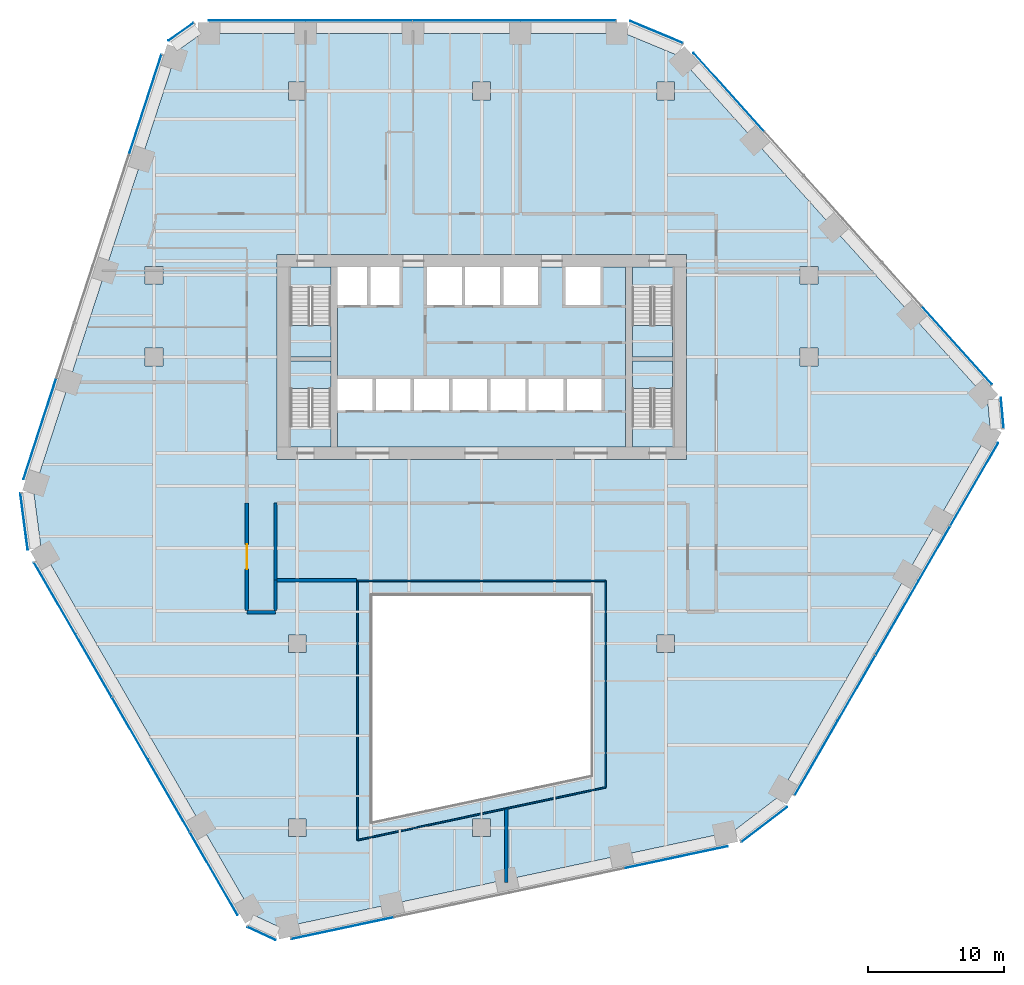
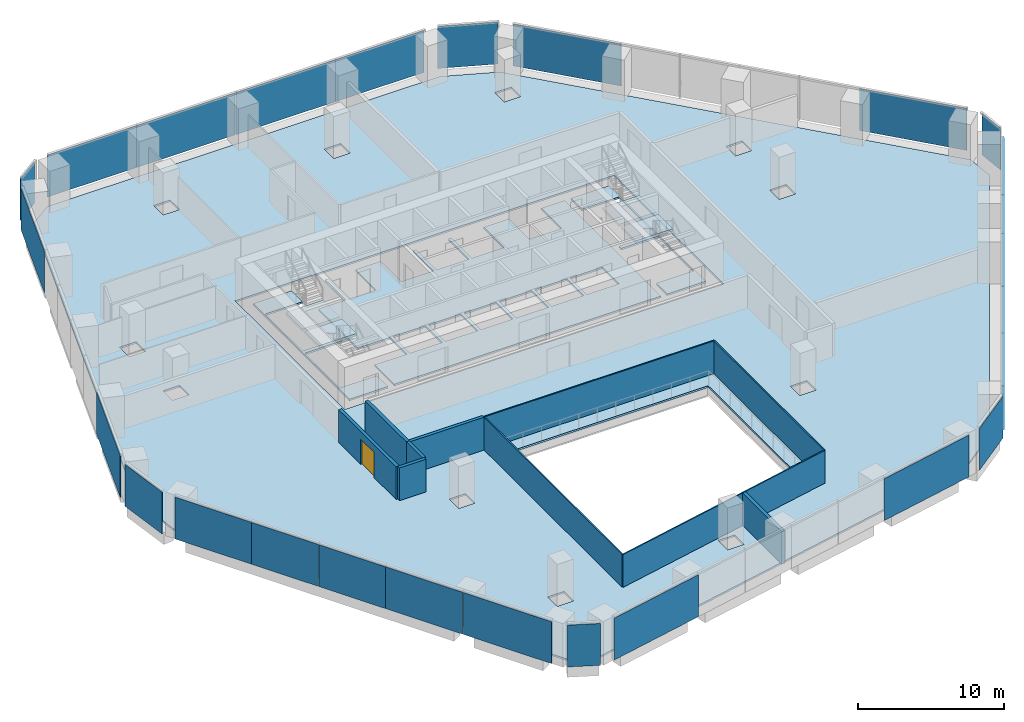
# One storey, part 13 of 19: 26 plates, 10 walls, 8 slabs, 1 door, 1 opening, 16 elements without a shape of their own.
"""IFC4 building model written with IfcOpenShell, lengths in metres."""

from ifc_helpers import new_model, si_unit, direction, frame, frame_2d, origin, origin_2d, place, context, subcontext, project, spatial, polyline, rectangle, outline, extrude, material, layer, layer_set, type_object, element, fill, aggregate, save


model = new_model("IFC4")

# Units and contexts
model_context = context("Model", 3, precision=1e-05, world=origin(), true_north=direction((0.0, 1.0)))
body_context = subcontext(model_context, "Body", "Model", "MODEL_VIEW")
ifc_project = project(units=[si_unit("LENGTHUNIT", "METRE"), si_unit("AREAUNIT", "SQUARE_METRE"), si_unit("VOLUMEUNIT", "CUBIC_METRE"), si_unit("PLANEANGLEUNIT", "RADIAN"), si_unit("MASSUNIT", "GRAM", prefix="KILO")], contexts=[model_context])

# Site, building, storey
site_placement = place(None, origin())
site = spatial("IfcSite", under=ifc_project, at=site_placement, CompositionType="ELEMENT")
building_placement = place(site_placement, origin())
building = spatial("IfcBuilding", under=site, at=building_placement, Name="Isthmus Gate Tower", CompositionType="ELEMENT")
storey_placement = place(building_placement, frame((0.0, 0.0, 91.60009765625)))
storey = spatial("IfcBuildingStorey", under=building, at=storey_placement, Name="L21", CompositionType="ELEMENT", Elevation=91.60009765625)

# Slabs
ifc_material_1 = material(Name="Concrete f'c 40 MPa", Category="concrete")
ifc_layer_1 = layer(ifc_material_1, 0.14990234375)
ifc_layer_set_1 = layer_set([ifc_layer_1], Name="COMPOSITE FLOOR SLAB 150")
slab_type_1 = type_object("IfcSlabType", Name="COMPOSITE FLOOR SLAB 150", PredefinedType="FLOOR", material=ifc_layer_set_1)
slab_1_placement = place(storey_placement, frame((0.0, 0.0, -0.150146484375)))
element("IfcSlab", 1, at=slab_1_placement, inside=storey, type_object=slab_type_1, Name="str-slab-L21-1", PredefinedType="FLOOR", context=body_context, shape_type="SweptSolid", body=[
    extrude(outline(polyline([(14.391357421875, 29.599365234375), (37.081787109375, 4.399169921875), (37.281494140625, 2.17333984375), (21.748779296875, -24.729736328125), (18.438232421875, -27.262939453125), (-14.73095703125, -34.313232421875), (-16.758544921875, -33.373291015625), (-32.291015625, -6.47021484375), (-32.82958984375, -2.33642578125), (-22.3505859375, 29.9140625), (-20.52294921875, 31.199951171875), (10.542236328125, 31.199951171875), (14.391357421875, 29.599365234375)]), holes=[polyline([(-14.14990234375, -27.64990234375), (-12.85009765625, -27.64990234375), (-12.85009765625, -26.35009765625), (-14.14990234375, -26.35009765625), (-14.14990234375, -27.64990234375)]), polyline([(-0.64990234375, -26.35009765625), (-0.64990234375, -27.64990234375), (0.64990234375, -27.64990234375), (0.64990234375, -26.35009765625), (-0.64990234375, -26.35009765625)]), polyline([(-14.14990234375, -12.85009765625), (-14.14990234375, -14.14990234375), (-12.85009765625, -14.14990234375), (-12.85009765625, -12.85009765625), (-14.14990234375, -12.85009765625)]), polyline([(-24.64990234375, 8.14990234375), (-24.64990234375, 6.85009765625), (-23.35009765625, 6.85009765625), (-23.35009765625, 8.14990234375), (-24.64990234375, 8.14990234375)]), polyline([(-23.35009765625, 14.14990234375), (-24.64990234375, 14.14990234375), (-24.64990234375, 12.85009765625), (-23.35009765625, 12.85009765625), (-23.35009765625, 14.14990234375)]), polyline([(-14.14990234375, 27.64990234375), (-14.14990234375, 26.35009765625), (-12.85009765625, 26.35009765625), (-12.85009765625, 27.64990234375), (-14.14990234375, 27.64990234375)]), polyline([(-0.64990234375, 27.64990234375), (-0.64990234375, 26.35009765625), (0.64990234375, 26.35009765625), (0.64990234375, 27.64990234375), (-0.64990234375, 27.64990234375)]), polyline([(8.0, -23.143310546875), (8.0, -10.0), (-8.0, -10.0), (-8.0, -26.544189453125), (8.0, -23.143310546875)]), polyline([(14.14990234375, -12.85009765625), (12.85009765625, -12.85009765625), (12.85009765625, -14.14990234375), (14.14990234375, -14.14990234375), (14.14990234375, -12.85009765625)]), polyline([(15.0, 15.0), (-15.0, 15.0), (-15.0, 0.0), (15.0, 0.0), (15.0, 15.0)]), polyline([(24.64990234375, 8.14990234375), (23.35009765625, 8.14990234375), (23.35009765625, 6.85009765625), (24.64990234375, 6.85009765625), (24.64990234375, 8.14990234375)]), polyline([(23.35009765625, 14.14990234375), (23.35009765625, 12.85009765625), (24.64990234375, 12.85009765625), (24.64990234375, 14.14990234375), (23.35009765625, 14.14990234375)]), polyline([(14.14990234375, 27.64990234375), (12.85009765625, 27.64990234375), (12.85009765625, 26.35009765625), (14.14990234375, 26.35009765625), (14.14990234375, 27.64990234375)])]), origin(), (0.0, 0.0, 1.0), 0.150146484375),
])
ifc_material_2 = material(Name="Concrete f'c 40 MPa", Category="concrete")
ifc_layer_2 = layer(ifc_material_2, 0.14990234375)
ifc_layer_set_2 = layer_set([ifc_layer_2], Name="CORE FLOOR SLAB 150")
slab_type_2 = type_object("IfcSlabType", Name="CORE FLOOR SLAB 150", PredefinedType="FLOOR", material=ifc_layer_set_2)
slab_2_placement = place(storey_placement, frame((0.0, 0.0, -0.150146484375)))
element("IfcSlab", 2, at=slab_2_placement, inside=storey, type_object=slab_type_2, Name="L21 core floor", PredefinedType="FLOOR", context=body_context, shape_type="SweptSolid", body=[
    extrude(outline(polyline([(-11.050048828125, 0.89990234375), (-11.050048828125, 2.402099609375), (-14.0, 2.402099609375), (-14.0, 7.199951171875), (-11.050048828125, 7.199951171875), (-11.050048828125, 7.5), (-14.0, 7.5), (-14.0, 12.597900390625), (-11.050048828125, 12.597900390625), (-11.050048828125, 14.10009765625), (-14.10009765625, 14.10009765625), (-14.10009765625, 0.89990234375), (-11.050048828125, 0.89990234375)])), origin(), (0.0, 0.0, 1.0), 0.150146484375),
])
slab_3_placement = place(storey_placement, frame((0.0, 0.0, -0.150146484375)))
element("IfcSlab", 3, at=slab_3_placement, inside=storey, type_object=slab_type_2, Name="L21 core floor", PredefinedType="FLOOR", context=body_context, shape_type="SweptSolid", body=[
    extrude(outline(polyline([(10.550048828125, 14.10009765625), (8.699951171875, 14.10009765625), (8.699951171875, 11.300048828125), (6.14990234375, 11.300048828125), (6.14990234375, 14.10009765625), (4.14990234375, 14.10009765625), (4.14990234375, 11.300048828125), (1.60009765625, 11.300048828125), (1.60009765625, 14.10009765625), (1.35009765625, 14.10009765625), (1.35009765625, 11.300048828125), (-1.199951171875, 11.300048828125), (-1.199951171875, 14.10009765625), (-1.449951171875, 14.10009765625), (-1.449951171875, 11.300048828125), (-4.0, 11.300048828125), (-4.0, 14.10009765625), (-6.0, 14.10009765625), (-6.0, 11.300048828125), (-8.14990234375, 11.300048828125), (-8.14990234375, 14.10009765625), (-8.39990234375, 14.10009765625), (-8.39990234375, 11.300048828125), (-10.550048828125, 11.300048828125), (-10.550048828125, 5.89990234375), (-8.0, 5.89990234375), (-8.0, 3.60009765625), (-10.550048828125, 3.60009765625), (-10.550048828125, 0.89990234375), (10.550048828125, 0.89990234375), (10.550048828125, 14.10009765625)]), holes=[polyline([(-5.199951171875, 5.89990234375), (-5.199951171875, 3.60009765625), (-7.75, 3.60009765625), (-7.75, 5.89990234375), (-5.199951171875, 5.89990234375)]), polyline([(-2.39990234375, 5.89990234375), (-2.39990234375, 3.60009765625), (-4.949951171875, 3.60009765625), (-4.949951171875, 5.89990234375), (-2.39990234375, 5.89990234375)]), polyline([(0.39990234375, 5.89990234375), (0.39990234375, 3.60009765625), (-2.14990234375, 3.60009765625), (-2.14990234375, 5.89990234375), (0.39990234375, 5.89990234375)]), polyline([(3.199951171875, 5.89990234375), (3.199951171875, 3.60009765625), (0.64990234375, 3.60009765625), (0.64990234375, 5.89990234375), (3.199951171875, 5.89990234375)]), polyline([(6.0, 5.89990234375), (6.0, 3.60009765625), (3.449951171875, 3.60009765625), (3.449951171875, 5.89990234375), (6.0, 5.89990234375)]), polyline([(8.800048828125, 5.89990234375), (8.800048828125, 3.60009765625), (6.25, 3.60009765625), (6.25, 5.89990234375), (8.800048828125, 5.89990234375)])]), origin(), (0.0, 0.0, 1.0), 0.150146484375),
])
slab_4_placement = place(storey_placement, frame((0.0, 0.0, -0.150146484375)))
element("IfcSlab", 4, at=slab_4_placement, inside=storey, type_object=slab_type_2, Name="L21 core floor", PredefinedType="FLOOR", context=body_context, shape_type="SweptSolid", body=[
    extrude(outline(polyline([(11.050048828125, 14.10009765625), (11.050048828125, 12.597900390625), (14.0, 12.597900390625), (14.0, 7.5), (11.050048828125, 7.5), (11.050048828125, 7.199951171875), (14.0, 7.199951171875), (14.0, 2.402099609375), (11.050048828125, 2.402099609375), (11.050048828125, 0.89990234375), (14.10009765625, 0.89990234375), (14.10009765625, 14.10009765625), (11.050048828125, 14.10009765625)])), origin(), (0.0, 0.0, 1.0), 0.150146484375),
])

# Curtain wall, plates
ifc_material_3 = material(Name="Aluminium, pale champagne anodised", Category="aluminium")
ifc_layer_3 = layer(ifc_material_3, 0.199951171875)
ifc_layer_set_3 = layer_set([ifc_layer_3], Name="CW-1 UNITISED CURTAIN WALL 200 DEEP")
curtain_wall_type = type_object("IfcCurtainWallType", Name="CW-1 UNITISED CURTAIN WALL 200 DEEP", PredefinedType="NOTDEFINED", material=ifc_layer_set_3)
curtain_wall_1_placement = place(storey_placement, origin())
curtain_wall_1 = element("IfcCurtainWall", 5, at=curtain_wall_1_placement, inside=storey, type_object=curtain_wall_type, Name="CW-1 N L21", PredefinedType="NOTDEFINED")
ifc_material_4 = material(Name="Laminated low-iron glass, pale blue tint", Category="glass")
ifc_layer_4 = layer(ifc_material_4, 0.0400390625)
ifc_layer_set_4 = layer_set([ifc_layer_4], Name="CW-1 CLEAR GLASS LITE 40")
plate_type = type_object("IfcPlateType", Name="CW-1 CLEAR GLASS LITE 40", PredefinedType="CURTAIN_PANEL", material=ifc_layer_set_4)
plate_1_placement = place(storey_placement, frame((6.337158203125, 32.179931640625, 0.0), z_axis=(0.0, 0.0, 1.0), x_axis=(-1.0, 0.0, 0.0)))
plate_1 = element("IfcPlate", 6, at=plate_1_placement, type_object=plate_type, Name="CW-1 glass lite", PredefinedType="CURTAIN_PANEL", context=body_context, shape_type="SweptSolid", body=[
    extrude(rectangle(XDim=7.009521484375, YDim=0.0400390625, at=origin_2d()), origin(), (0.0, 0.0, 1.0), 3.5),
])
plate_2_placement = place(storey_placement, frame((-1.1025390625, 32.179931640625, 0.0), z_axis=(0.0, 0.0, 1.0), x_axis=(-1.0, 0.0, 0.0)))
plate_2 = element("IfcPlate", 7, at=plate_2_placement, type_object=plate_type, Name="CW-1 glass lite", PredefinedType="CURTAIN_PANEL", context=body_context, shape_type="SweptSolid", body=[
    extrude(rectangle(XDim=7.86962890625, YDim=0.0400390625, at=origin_2d()), origin(), (0.0, 0.0, 1.0), 3.5),
])
plate_3_placement = place(storey_placement, frame((-9.001953125, 32.179931640625, 0.0), z_axis=(0.0, 0.0, 1.0), x_axis=(-1.0, 0.0, 0.0)))
plate_3 = element("IfcPlate", 8, at=plate_3_placement, type_object=plate_type, Name="CW-1 glass lite", PredefinedType="CURTAIN_PANEL", context=body_context, shape_type="SweptSolid", body=[
    extrude(rectangle(XDim=7.8095703125, YDim=0.0400390625, at=origin_2d()), origin(), (0.0, 0.0, 1.0), 3.5),
])
plate_4_placement = place(storey_placement, frame((-16.44140625, 32.179931640625, 0.0), z_axis=(0.0, 0.0, 1.0), x_axis=(-1.0, 0.0, 0.0)))
plate_4 = element("IfcPlate", 9, at=plate_4_placement, type_object=plate_type, Name="CW-1 glass lite", PredefinedType="CURTAIN_PANEL", context=body_context, shape_type="SweptSolid", body=[
    extrude(rectangle(XDim=7.069580078125, YDim=0.0400390625, at=origin_2d()), origin(), (0.0, 0.0, 1.0), 3.5),
])
aggregate(curtain_wall_1, [plate_1, plate_2, plate_3, plate_4])

# Curtain wall, plate
curtain_wall_2_placement = place(storey_placement, origin())
curtain_wall_2 = element("IfcCurtainWall", 10, at=curtain_wall_2_placement, inside=storey, type_object=curtain_wall_type, Name="CW-1 N-NW L21", PredefinedType="NOTDEFINED")
plate_5_placement = place(storey_placement, frame((-22.025146484375, 31.341552734375, 0.0), z_axis=(0.0, 0.0, 1.0), x_axis=(-0.81785959165, -0.57541783805, 0.0)))
plate_5 = element("IfcPlate", 11, at=plate_5_placement, type_object=plate_type, Name="CW-1 glass lite", PredefinedType="CURTAIN_PANEL", context=body_context, shape_type="SweptSolid", body=[
    extrude(rectangle(XDim=2.258544921875, YDim=0.0400390625, at=origin_2d()), origin(), (0.0, 0.0, 1.0), 3.5),
])
aggregate(curtain_wall_2, [plate_5])

# Curtain wall, plates
curtain_wall_3_placement = place(storey_placement, origin())
curtain_wall_3 = element("IfcCurtainWall", 12, at=curtain_wall_3_placement, inside=storey, type_object=curtain_wall_type, Name="CW-1 NW L21", PredefinedType="NOTDEFINED")
plate_6_placement = place(storey_placement, frame((-24.660400390625, 25.97705078125, 0.0), z_axis=(0.0, 0.0, 1.0), x_axis=(-0.309016994375, -0.951056516295, 0.0)))
plate_6 = element("IfcPlate", 13, at=plate_6_placement, type_object=plate_type, Name="CW-1 glass lite", PredefinedType="CURTAIN_PANEL", context=body_context, shape_type="SweptSolid", body=[
    extrude(rectangle(XDim=7.729248046875, YDim=0.0400390625, at=origin_2d()), origin(), (0.0, 0.0, 1.0), 3.5),
])
plate_7_placement = place(storey_placement, frame((-32.36669921875, 2.259765625, 0.0), z_axis=(0.0, 0.0, 1.0), x_axis=(-0.309016994375, -0.951056516295, 0.0)))
plate_7 = element("IfcPlate", 14, at=plate_7_placement, type_object=plate_type, Name="CW-1 glass lite", PredefinedType="CURTAIN_PANEL", context=body_context, shape_type="SweptSolid", body=[
    extrude(rectangle(XDim=7.789306640625, YDim=0.0400390625, at=origin_2d()), origin(), (0.0, 0.0, 1.0), 3.5),
])
aggregate(curtain_wall_3, [plate_6, plate_7])

# Curtain wall, plate
curtain_wall_4_placement = place(storey_placement, origin())
curtain_wall_4 = element("IfcCurtainWall", 15, at=curtain_wall_4_placement, inside=storey, type_object=curtain_wall_type, Name="CW-1 NW-SW L21", PredefinedType="NOTDEFINED")
plate_8_placement = place(storey_placement, frame((-33.5283203125, -4.558349609375, 0.0), z_axis=(0.0, 0.0, 1.0), x_axis=(0.129164534, -0.991623175988, 0.0)))
plate_8 = element("IfcPlate", 16, at=plate_8_placement, type_object=plate_type, Name="CW-1 glass lite", PredefinedType="CURTAIN_PANEL", context=body_context, shape_type="SweptSolid", body=[
    extrude(rectangle(XDim=4.181396484375, YDim=0.0400390625, at=origin_2d()), origin(), (0.0, 0.0, 1.0), 3.5),
])
aggregate(curtain_wall_4, [plate_8])

# Curtain wall, plates
curtain_wall_5_placement = place(storey_placement, origin())
curtain_wall_5 = element("IfcCurtainWall", 17, at=curtain_wall_5_placement, inside=storey, type_object=curtain_wall_type, Name="CW-1 SW L21", PredefinedType="NOTDEFINED")
plate_9_placement = place(storey_placement, frame((-31.277587890625, -10.185791015625, 0.0), z_axis=(0.0, 0.0, 1.0), x_axis=(0.5, -0.866025403784, 0.0)))
plate_9 = element("IfcPlate", 18, at=plate_9_placement, type_object=plate_type, Name="CW-1 glass lite", PredefinedType="CURTAIN_PANEL", context=body_context, shape_type="SweptSolid", body=[
    extrude(rectangle(XDim=6.048583984375, YDim=0.0400390625, at=origin_2d()), origin(), (0.0, 0.0, 1.0), 3.5),
])
plate_10_placement = place(storey_placement, frame((-28.438232421875, -15.103759765625, 0.0), z_axis=(0.0, 0.0, 1.0), x_axis=(0.5, -0.866025403784, 0.0)))
plate_10 = element("IfcPlate", 19, at=plate_10_placement, type_object=plate_type, Name="CW-1 glass lite", PredefinedType="CURTAIN_PANEL", context=body_context, shape_type="SweptSolid", body=[
    extrude(rectangle(XDim=5.30859375, YDim=0.0400390625, at=origin_2d()), origin(), (0.0, 0.0, 1.0), 3.5),
])
plate_11_placement = place(storey_placement, frame((-25.768798828125, -19.72705078125, 0.0), z_axis=(0.0, 0.0, 1.0), x_axis=(0.5, -0.866025403784, 0.0)))
plate_11 = element("IfcPlate", 20, at=plate_11_placement, type_object=plate_type, Name="CW-1 glass lite", PredefinedType="CURTAIN_PANEL", context=body_context, shape_type="SweptSolid", body=[
    extrude(rectangle(XDim=5.24853515625, YDim=0.0400390625, at=origin_2d()), origin(), (0.0, 0.0, 1.0), 3.5),
])
plate_12_placement = place(storey_placement, frame((-22.929443359375, -24.644775390625, 0.0), z_axis=(0.0, 0.0, 1.0), x_axis=(0.5, -0.866025403784, 0.0)))
plate_12 = element("IfcPlate", 21, at=plate_12_placement, type_object=plate_type, Name="CW-1 glass lite", PredefinedType="CURTAIN_PANEL", context=body_context, shape_type="SweptSolid", body=[
    extrude(rectangle(XDim=6.108642578125, YDim=0.0400390625, at=origin_2d()), origin(), (0.0, 0.0, 1.0), 3.5),
])
plate_13_placement = place(storey_placement, frame((-19.62646484375, -30.365966796875, 0.0), z_axis=(0.0, 0.0, 1.0), x_axis=(0.5, -0.866025403784, 0.0)))
plate_13 = element("IfcPlate", 22, at=plate_13_placement, type_object=plate_type, Name="CW-1 glass lite", PredefinedType="CURTAIN_PANEL", context=body_context, shape_type="SweptSolid", body=[
    extrude(rectangle(XDim=6.983642578125, YDim=0.0400390625, at=origin_2d()), origin(), (0.0, 0.0, 1.0), 3.5),
])
aggregate(curtain_wall_5, [plate_9, plate_10, plate_11, plate_12, plate_13])

# Curtain wall, plate
curtain_wall_6_placement = place(storey_placement, origin())
curtain_wall_6 = element("IfcCurtainWall", 23, at=curtain_wall_6_placement, inside=storey, type_object=curtain_wall_type, Name="CW-1 SW-S L21", PredefinedType="NOTDEFINED")
plate_14_placement = place(storey_placement, frame((-16.1298828125, -34.7451171875, 0.0), z_axis=(0.0, 0.0, 1.0), x_axis=(0.907256261367, -0.420578264073, 0.0)))
plate_14 = element("IfcPlate", 24, at=plate_14_placement, type_object=plate_type, Name="CW-1 glass lite", PredefinedType="CURTAIN_PANEL", context=body_context, shape_type="SweptSolid", body=[
    extrude(rectangle(XDim=2.258544921875, YDim=0.0400390625, at=origin_2d()), origin(), (0.0, 0.0, 1.0), 3.5),
])
aggregate(curtain_wall_6, [plate_14])

# Curtain wall, plates
curtain_wall_7_placement = place(storey_placement, origin())
curtain_wall_7 = element("IfcCurtainWall", 25, at=curtain_wall_7_placement, inside=storey, type_object=curtain_wall_type, Name="CW-1 S L21", PredefinedType="NOTDEFINED")
plate_15_placement = place(storey_placement, frame((-10.166748046875, -34.344970703125, 0.0), z_axis=(0.0, 0.0, 1.0), x_axis=(0.978147600734, 0.207911690818, 0.0)))
plate_15 = element("IfcPlate", 26, at=plate_15_placement, type_object=plate_type, Name="CW-1 glass lite", PredefinedType="CURTAIN_PANEL", context=body_context, shape_type="SweptSolid", body=[
    extrude(rectangle(XDim=7.729248046875, YDim=0.0400390625, at=origin_2d()), origin(), (0.0, 0.0, 1.0), 3.5),
])
plate_16_placement = place(storey_placement, frame((14.226318359375, -29.16015625, 0.0), z_axis=(0.0, 0.0, 1.0), x_axis=(0.978147600734, 0.207911690818, 0.0)))
plate_16 = element("IfcPlate", 27, at=plate_16_placement, type_object=plate_type, Name="CW-1 glass lite", PredefinedType="CURTAIN_PANEL", context=body_context, shape_type="SweptSolid", body=[
    extrude(rectangle(XDim=7.789306640625, YDim=0.0400390625, at=origin_2d()), origin(), (0.0, 0.0, 1.0), 3.5),
])
aggregate(curtain_wall_7, [plate_15, plate_16])

# Curtain wall, plate
curtain_wall_8_placement = place(storey_placement, origin())
curtain_wall_8 = element("IfcCurtainWall", 28, at=curtain_wall_8_placement, inside=storey, type_object=curtain_wall_type, Name="CW-1 S-SE L21", PredefinedType="NOTDEFINED")
plate_17_placement = place(storey_placement, frame((20.711669921875, -26.75732421875, 0.0), z_axis=(0.0, 0.0, 1.0), x_axis=(0.794188594387, 0.607671355706, 0.0)))
plate_17 = element("IfcPlate", 29, at=plate_17_placement, type_object=plate_type, Name="CW-1 glass lite", PredefinedType="CURTAIN_PANEL", context=body_context, shape_type="SweptSolid", body=[
    extrude(rectangle(XDim=4.181396484375, YDim=0.0400390625, at=origin_2d()), origin(), (0.0, 0.0, 1.0), 3.5),
])
aggregate(curtain_wall_8, [plate_17])

# Curtain wall, plates
curtain_wall_9_placement = place(storey_placement, origin())
curtain_wall_9 = element("IfcCurtainWall", 30, at=curtain_wall_9_placement, inside=storey, type_object=curtain_wall_type, Name="CW-1 SE L21", PredefinedType="NOTDEFINED")
plate_18_placement = place(storey_placement, frame((24.517333984375, -21.89453125, 0.0), z_axis=(0.0, 0.0, 1.0), x_axis=(0.5, 0.866025403784, 0.0)))
plate_18 = element("IfcPlate", 31, at=plate_18_placement, type_object=plate_type, Name="CW-1 glass lite", PredefinedType="CURTAIN_PANEL", context=body_context, shape_type="SweptSolid", body=[
    extrude(rectangle(XDim=6.278564453125, YDim=0.0400390625, at=origin_2d()), origin(), (0.0, 0.0, 1.0), 3.5),
])
plate_19_placement = place(storey_placement, frame((27.4716796875, -16.777587890625, 0.0), z_axis=(0.0, 0.0, 1.0), x_axis=(0.5, 0.866025403784, 0.0)))
plate_19 = element("IfcPlate", 32, at=plate_19_placement, type_object=plate_type, Name="CW-1 glass lite", PredefinedType="CURTAIN_PANEL", context=body_context, shape_type="SweptSolid", body=[
    extrude(rectangle(XDim=5.53857421875, YDim=0.0400390625, at=origin_2d()), origin(), (0.0, 0.0, 1.0), 3.5),
])
plate_20_placement = place(storey_placement, frame((30.4560546875, -11.608642578125, 0.0), z_axis=(0.0, 0.0, 1.0), x_axis=(0.5, 0.866025403784, 0.0)))
plate_20 = element("IfcPlate", 33, at=plate_20_placement, type_object=plate_type, Name="CW-1 glass lite", PredefinedType="CURTAIN_PANEL", context=body_context, shape_type="SweptSolid", body=[
    extrude(rectangle(XDim=6.278564453125, YDim=0.0400390625, at=origin_2d()), origin(), (0.0, 0.0, 1.0), 3.5),
])
plate_21_placement = place(storey_placement, frame((33.173828125, -6.901123046875, 0.0), z_axis=(0.0, 0.0, 1.0), x_axis=(0.5, 0.866025403784, 0.0)))
plate_21 = element("IfcPlate", 34, at=plate_21_placement, type_object=plate_type, Name="CW-1 glass lite", PredefinedType="CURTAIN_PANEL", context=body_context, shape_type="SweptSolid", body=[
    extrude(rectangle(XDim=4.5927734375, YDim=0.0400390625, at=origin_2d()), origin(), (0.0, 0.0, 1.0), 3.5),
])
plate_22_placement = place(storey_placement, frame((36.1044921875, -1.8251953125, 0.0), z_axis=(0.0, 0.0, 1.0), x_axis=(0.5, 0.866025403784, 0.0)))
plate_22 = element("IfcPlate", 35, at=plate_22_placement, type_object=plate_type, Name="CW-1 glass lite", PredefinedType="CURTAIN_PANEL", context=body_context, shape_type="SweptSolid", body=[
    extrude(rectangle(XDim=7.009521484375, YDim=0.0400390625, at=origin_2d()), origin(), (0.0, 0.0, 1.0), 3.5),
])
aggregate(curtain_wall_9, [plate_18, plate_19, plate_20, plate_21, plate_22])

# Curtain wall, plate
curtain_wall_10_placement = place(storey_placement, origin())
curtain_wall_10 = element("IfcCurtainWall", 36, at=curtain_wall_10_placement, inside=storey, type_object=curtain_wall_type, Name="CW-1 SE-NE L21", PredefinedType="NOTDEFINED")
plate_23_placement = place(storey_placement, frame((38.155029296875, 3.403564453125, 0.0), z_axis=(0.0, 0.0, 1.0), x_axis=(-0.089396669717, 0.995996102123, 0.0)))
plate_23 = element("IfcPlate", 37, at=plate_23_placement, type_object=plate_type, Name="CW-1 glass lite", PredefinedType="CURTAIN_PANEL", context=body_context, shape_type="SweptSolid", body=[
    extrude(rectangle(XDim=2.258544921875, YDim=0.0400390625, at=origin_2d()), origin(), (0.0, 0.0, 1.0), 3.5),
])
aggregate(curtain_wall_10, [plate_23])

# Curtain wall, plates
curtain_wall_11_placement = place(storey_placement, origin())
curtain_wall_11 = element("IfcCurtainWall", 38, at=curtain_wall_11_placement, inside=storey, type_object=curtain_wall_type, Name="CW-1 NE L21", PredefinedType="NOTDEFINED")
plate_24_placement = place(storey_placement, frame((34.826904296875, 8.367919921875, 0.0), z_axis=(0.0, 0.0, 1.0), x_axis=(-0.669130606359, 0.743144825477, 0.0)))
plate_24 = element("IfcPlate", 39, at=plate_24_placement, type_object=plate_type, Name="CW-1 glass lite", PredefinedType="CURTAIN_PANEL", context=body_context, shape_type="SweptSolid", body=[
    extrude(rectangle(XDim=7.729248046875, YDim=0.0400390625, at=origin_2d()), origin(), (0.0, 0.0, 1.0), 3.5),
])
plate_25_placement = place(storey_placement, frame((18.14013671875, 26.900390625, 0.0), z_axis=(0.0, 0.0, 1.0), x_axis=(-0.669130606359, 0.743144825477, 0.0)))
plate_25 = element("IfcPlate", 40, at=plate_25_placement, type_object=plate_type, Name="CW-1 glass lite", PredefinedType="CURTAIN_PANEL", context=body_context, shape_type="SweptSolid", body=[
    extrude(rectangle(XDim=7.789306640625, YDim=0.0400390625, at=origin_2d()), origin(), (0.0, 0.0, 1.0), 3.5),
])
aggregate(curtain_wall_11, [plate_24, plate_25])

# Curtain wall, plate
curtain_wall_12_placement = place(storey_placement, origin())
curtain_wall_12 = element("IfcCurtainWall", 41, at=curtain_wall_12_placement, inside=storey, type_object=curtain_wall_type, Name="CW-1 NE-N L21", PredefinedType="NOTDEFINED")
plate_26_placement = place(storey_placement, frame((12.816650390625, 31.315673828125, 0.0), z_axis=(0.0, 0.0, 1.0), x_axis=(-0.923353128387, 0.383951820282, 0.0)))
plate_26 = element("IfcPlate", 42, at=plate_26_placement, type_object=plate_type, Name="CW-1 glass lite", PredefinedType="CURTAIN_PANEL", context=body_context, shape_type="SweptSolid", body=[
    extrude(rectangle(XDim=4.181396484375, YDim=0.0400390625, at=origin_2d()), origin(), (0.0, 0.0, 1.0), 3.5),
])
aggregate(curtain_wall_12, [plate_26])

# Stair, slab
ifc_material_5 = material(Name="Concrete f'c 40 MPa", Category="concrete")
stair_type = type_object("IfcStairType", Name="CORE STAIR 22 RISERS", PredefinedType="HALF_TURN_STAIR", material=ifc_material_5)
stair_1_placement = place(storey_placement, origin())
stair_1 = element("IfcStair", 43, at=stair_1_placement, inside=storey, type_object=stair_type, Name="L21 Exit Stair 1", PredefinedType="HALF_TURN_STAIR")
ifc_material_6 = material(Name="Concrete f'c 40 MPa", Category="concrete")
ifc_layer_5 = layer(ifc_material_6, 0.199951171875)
ifc_layer_set_5 = layer_set([ifc_layer_5])
slab_type_3 = type_object("IfcSlabType", Name="STAIR LANDING RC 200", PredefinedType="LANDING", material=ifc_layer_set_5)
slab_5_placement = place(storey_placement, frame((0.0, 0.0, 1.625)))
slab_5 = element("IfcSlab", 44, at=slab_5_placement, type_object=slab_type_3, Name="ST1 landing 1", PredefinedType="LANDING", context=body_context, shape_type="SweptSolid", body=[
    extrude(outline(polyline([(-14.0, 9.800048828125), (-14.0, 7.5), (-11.050048828125, 7.5), (-11.050048828125, 9.800048828125), (-14.0, 9.800048828125)])), origin(), (0.0, 0.0, 1.0), 0.199951171875),
])
aggregate(stair_1, [slab_5])

stair_2_placement = place(storey_placement, origin())
stair_2 = element("IfcStair", 45, at=stair_2_placement, inside=storey, type_object=stair_type, Name="L21 Exit Stair 2", PredefinedType="HALF_TURN_STAIR")
slab_6_placement = place(storey_placement, frame((0.0, 0.0, 1.625)))
slab_6 = element("IfcSlab", 46, at=slab_6_placement, type_object=slab_type_3, Name="ST2 landing 1", PredefinedType="LANDING", context=body_context, shape_type="SweptSolid", body=[
    extrude(outline(polyline([(11.050048828125, 9.800048828125), (11.050048828125, 7.5), (14.0, 7.5), (14.0, 9.800048828125), (11.050048828125, 9.800048828125)])), origin(), (0.0, 0.0, 1.0), 0.199951171875),
])
aggregate(stair_2, [slab_6])

stair_3_placement = place(storey_placement, origin())
stair_3 = element("IfcStair", 47, at=stair_3_placement, inside=storey, type_object=stair_type, Name="L21 Exit Stair 7", PredefinedType="HALF_TURN_STAIR")
slab_7_placement = place(storey_placement, frame((0.0, 0.0, 1.625)))
slab_7 = element("IfcSlab", 48, at=slab_7_placement, type_object=slab_type_3, Name="ST7 landing 1", PredefinedType="LANDING", context=body_context, shape_type="SweptSolid", body=[
    extrude(outline(polyline([(-11.050048828125, 5.199951171875), (-11.050048828125, 7.199951171875), (-14.0, 7.199951171875), (-14.0, 5.199951171875), (-11.050048828125, 5.199951171875)])), origin(), (0.0, 0.0, 1.0), 0.199951171875),
])
aggregate(stair_3, [slab_7])

stair_4_placement = place(storey_placement, origin())
stair_4 = element("IfcStair", 49, at=stair_4_placement, inside=storey, type_object=stair_type, Name="L21 Exit Stair 8", PredefinedType="HALF_TURN_STAIR")
slab_8_placement = place(storey_placement, frame((0.0, 0.0, 1.625)))
slab_8 = element("IfcSlab", 50, at=slab_8_placement, type_object=slab_type_3, Name="ST8 landing 1", PredefinedType="LANDING", context=body_context, shape_type="SweptSolid", body=[
    extrude(outline(polyline([(14.0, 5.199951171875), (14.0, 7.199951171875), (11.050048828125, 7.199951171875), (11.050048828125, 5.199951171875), (14.0, 5.199951171875)])), origin(), (0.0, 0.0, 1.0), 0.199951171875),
])
aggregate(stair_4, [slab_8])

# Walls
ifc_material_7 = material(Name="Double-leaf acoustic stud wall, fire-rated", Category="gypsum")
ifc_layer_6 = layer(ifc_material_7, 0.25)
ifc_layer_set_6 = layer_set([ifc_layer_6], Name="ACOUSTIC WALL 250 60 MIN")
wall_type_1 = type_object("IfcWallType", Name="ACOUSTIC WALL 250 60 MIN", PredefinedType="PARTITIONING", material=ifc_layer_set_6)
wall_1_placement = place(storey_placement, frame((-15.10009765625, -11.199951171875, 0.0), z_axis=(0.0, 0.0, 1.0), x_axis=(-1.0, 0.0, 0.0)))
element("IfcWall", 51, at=wall_1_placement, inside=storey, type_object=wall_type_1, Name="L21 Acoustic Wall 250 60 Min", PredefinedType="PARTITIONING", context=body_context, shape_type="SweptSolid", body=[
    extrude(rectangle(XDim=2.097900390625, YDim=0.25, at=frame_2d((1.048828125, 0.0))), origin(), (0.0, 0.0, 1.0), 2.7412109375),
])
wall_2_placement = place(storey_placement, frame((-15.10009765625, -8.85009765625, 0.0), z_axis=(0.0, 0.0, 1.0), x_axis=(0.0, -1.0, 0.0)))
element("IfcWall", 52, at=wall_2_placement, inside=storey, type_object=wall_type_1, Name="L21 Acoustic Wall 250 60 Min", PredefinedType="PARTITIONING", context=body_context, shape_type="SweptSolid", body=[
    extrude(rectangle(XDim=2.224853515625, YDim=0.25, at=frame_2d((1.1123046875, 0.0))), origin(), (0.0, 0.0, 1.0), 2.7412109375),
])
wall_3_placement = place(storey_placement, frame((-15.10009765625, -3.199951171875, 0.0), z_axis=(0.0, 0.0, 1.0), x_axis=(0.0, -1.0, 0.0)))
element("IfcWall", 53, at=wall_3_placement, inside=storey, type_object=wall_type_1, Name="L21 Acoustic Wall 250 60 Min", PredefinedType="PARTITIONING", context=body_context, shape_type="SweptSolid", body=[
    extrude(rectangle(XDim=5.650146484375, YDim=0.25, at=frame_2d((2.8251953125, 0.0))), origin(), (0.0, 0.0, 1.0), 2.7412109375),
])

# Wall, opening, door
wall_4_placement = place(storey_placement, frame((-17.197998046875, -11.074951171875, 0.0), z_axis=(0.0, 0.0, 1.0), x_axis=(0.0, 1.0, 0.0)))
wall_4 = element("IfcWall", 54, at=wall_4_placement, inside=storey, type_object=wall_type_1, Name="L21 Acoustic Wall 250 60 Min", PredefinedType="PARTITIONING", context=body_context, shape_type="SweptSolid", body=[
    extrude(rectangle(XDim=7.886962890625, YDim=0.25, at=frame_2d((3.943359375, 0.0))), origin(), (0.0, 0.0, 1.0), 2.7412109375),
])
opening_placement = place(wall_4_placement, frame((3.04345703125, 0.0, 0.0)))
opening = element("IfcOpeningElement", 55, at=opening_placement, cuts=wall_4, Name="Opening DT-T2B-11", PredefinedType="OPENING", context=body_context, shape_type="SweptSolid", body=[
    extrude(rectangle(XDim=1.800048828125, YDim=2.10009765625, at=frame_2d((0.89990234375, 1.050048828125))), frame((0.0, 0.135009765625, 0.0), z_axis=(0.0, -1.0, 0.0), x_axis=(1.0, 0.0, 0.0)), (0.0, 0.0, 1.0), 0.27001953125),
])
ifc_material_8 = material(Name="Solid core timber door leaf, fire-rated", Category="wood")
door_type = type_object("IfcDoorType", Name="FIRE DOOR ACOUSTIC ROOM 1800 X 2100 60 MIN", OperationType="DOUBLE_DOOR_DOUBLE_SWING", PredefinedType="DOOR", material=ifc_material_8)
door_placement = place(opening_placement, origin())
door = element("IfcDoor", 56, at=door_placement, inside=storey, type_object=door_type, Name="L21 room door", OperationType="DOUBLE_DOOR_DOUBLE_SWING", OverallHeight=2.10009765625, OverallWidth=1.800048828125, PredefinedType="DOOR", context=body_context, shape_type="SweptSolid", body=[
    extrude(rectangle(XDim=1.800048828125, YDim=2.10009765625, at=frame_2d((0.89990234375, 1.050048828125))), frame((0.0, 0.02490234375, 0.0), z_axis=(0.0, -1.0, 0.0), x_axis=(1.0, 0.0, 0.0)), (0.0, 0.0, 1.0), 0.050048828125),
])
fill(opening, door)

# Walls
wall_5_placement = place(storey_placement, frame((1.81103515625, -31.001953125, 0.0), z_axis=(0.0, 0.0, 1.0), x_axis=(0.0, 1.0, 0.0)))
element("IfcWall", 57, at=wall_5_placement, inside=storey, type_object=wall_type_1, Name="L21 Acoustic Wall 250 60 Min", PredefinedType="PARTITIONING", context=body_context, shape_type="SweptSolid", body=[
    extrude(rectangle(XDim=5.367919921875, YDim=0.25, at=frame_2d((2.68408203125, 0.0))), origin(), (0.0, 0.0, 1.0), 2.7412109375),
])
wall_6_placement = place(storey_placement, frame((-9.14990234375, -8.85009765625, 0.0), z_axis=(0.0, 0.0, 1.0), x_axis=(-1.0, 0.0, 0.0)))
element("IfcWall", 58, at=wall_6_placement, inside=storey, type_object=wall_type_1, Name="L21 Acoustic Wall 250 60 Min", PredefinedType="PARTITIONING", context=body_context, shape_type="SweptSolid", body=[
    extrude(rectangle(XDim=5.8251953125, YDim=0.25, at=frame_2d((2.91259765625, 0.0))), origin(), (0.0, 0.0, 1.0), 2.7412109375),
])
ifc_material_9 = material(Name="Fire-rated laminated glass in steel frame", Category="steel")
ifc_layer_7 = layer(ifc_material_9, 0.10009765625)
ifc_layer_set_7 = layer_set([ifc_layer_7], Name="ATRIUM SCREEN GLAZED WALL 100 120 MIN")
wall_type_2 = type_object("IfcWallType", Name="ATRIUM SCREEN GLAZED WALL 100 120 MIN", PredefinedType="PARTITIONING", material=ifc_layer_set_7)
wall_7_placement = place(storey_placement, frame((-9.10009765625, -8.89990234375, 0.0), z_axis=(0.0, 0.0, 1.0), x_axis=(1.0, 0.0, 0.0)))
element("IfcWall", 59, at=wall_7_placement, inside=storey, type_object=wall_type_2, Name="L21 atrium screen", PredefinedType="PARTITIONING", context=body_context, shape_type="SweptSolid", body=[
    extrude(rectangle(XDim=18.2001953125, YDim=0.10009765625, at=frame_2d((9.10009765625, 0.0))), origin(), (0.0, 0.0, 1.0), 2.7412109375),
])
wall_8_placement = place(storey_placement, frame((9.10009765625, -8.89990234375, 0.0), z_axis=(0.0, 0.0, 1.0), x_axis=(0.0, -1.0, 0.0)))
element("IfcWall", 60, at=wall_8_placement, inside=storey, type_object=wall_type_2, Name="L21 atrium screen", PredefinedType="PARTITIONING", context=body_context, shape_type="SweptSolid", body=[
    extrude(rectangle(XDim=15.134033203125, YDim=0.10009765625, at=frame_2d((7.56689453125, 0.0))), origin(), (0.0, 0.0, 1.0), 2.7412109375),
])
wall_9_placement = place(storey_placement, frame((9.10009765625, -24.033935546875, 0.0), z_axis=(0.0, 0.0, 1.0), x_axis=(-0.978146710971, -0.207915876778, 0.0)))
element("IfcWall", 61, at=wall_9_placement, inside=storey, type_object=wall_type_2, Name="L21 atrium screen", PredefinedType="PARTITIONING", context=body_context, shape_type="SweptSolid", body=[
    extrude(rectangle(XDim=18.60693359375, YDim=0.10009765625, at=frame_2d((9.303466796875, 0.0))), origin(), (0.0, 0.0, 1.0), 2.7412109375),
])
wall_10_placement = place(storey_placement, frame((-9.10009765625, -27.902587890625, 0.0), z_axis=(0.0, 0.0, 1.0), x_axis=(0.0, 1.0, 0.0)))
element("IfcWall", 62, at=wall_10_placement, inside=storey, type_object=wall_type_2, Name="L21 atrium screen", PredefinedType="PARTITIONING", context=body_context, shape_type="SweptSolid", body=[
    extrude(rectangle(XDim=19.002685546875, YDim=0.10009765625, at=frame_2d((9.50146484375, 0.0))), origin(), (0.0, 0.0, 1.0), 2.7412109375),
])

save(model, "model.ifc")
